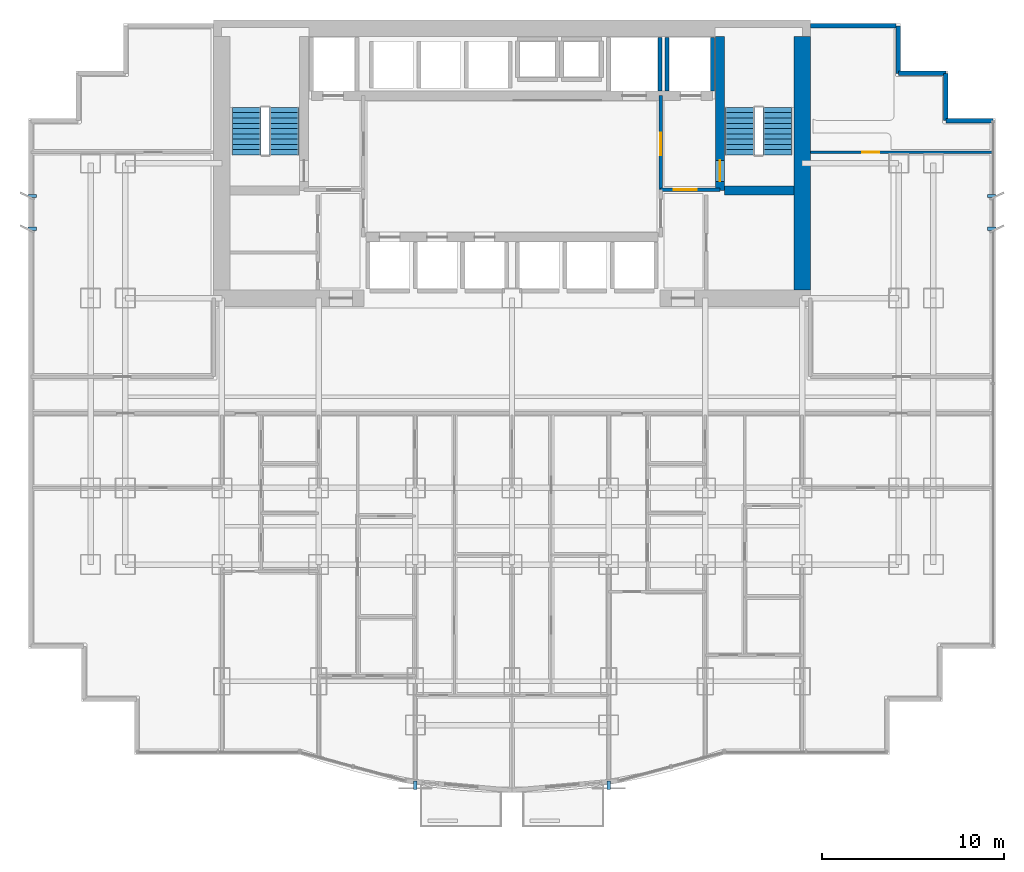
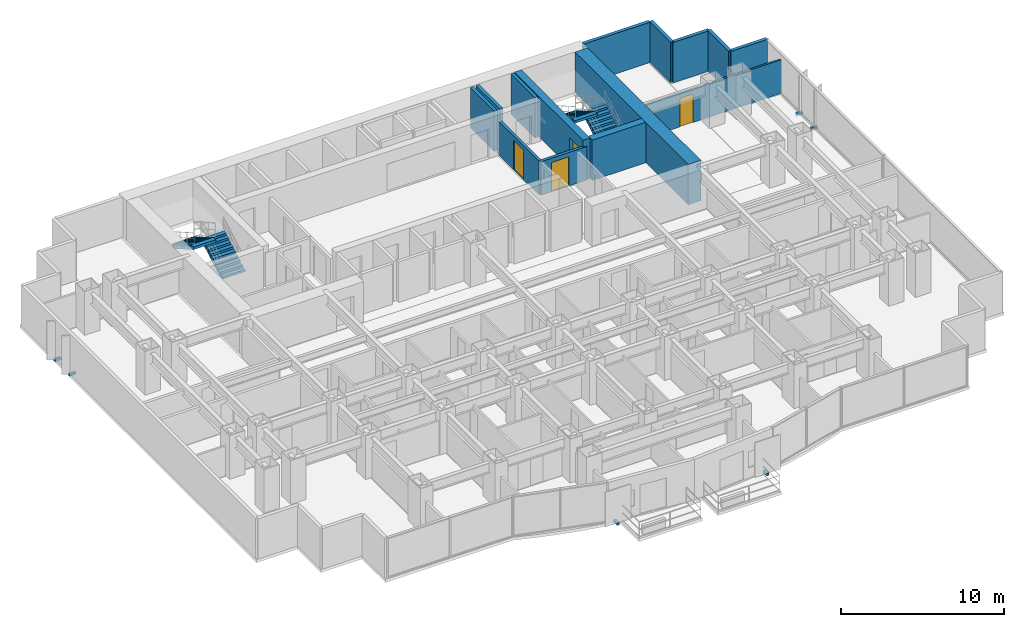
# One storey, part 10 of 12: 14 walls, 6 discrete accessories, 4 doors, 4 stair flights, 4 openings, 2 elements without a shape of their own.
"""IFC4 building model written with IfcOpenShell, lengths in metres."""

from ifc_helpers import new_model, si_unit, direction, frame, frame_2d, origin, origin_2d, place, context, subcontext, project, spatial, polyline, rectangle, outline, extrude, source, transform, mapped, material, layer, layer_set, type_object, element, fill, aggregate, save


model = new_model("IFC4")

# Units and contexts
model_context = context("Model", 3, precision=1e-05, world=origin(), true_north=direction((0.0, 1.0)))
body_context = subcontext(model_context, "Body", "Model", "MODEL_VIEW")
ifc_project = project(units=[si_unit("LENGTHUNIT", "METRE"), si_unit("AREAUNIT", "SQUARE_METRE"), si_unit("VOLUMEUNIT", "CUBIC_METRE"), si_unit("PLANEANGLEUNIT", "RADIAN"), si_unit("MASSUNIT", "GRAM", prefix="KILO")], contexts=[model_context])

# Site, building, storey
site_placement = place(None, origin())
site = spatial("IfcSite", under=ifc_project, at=site_placement, CompositionType="ELEMENT")
building_placement = place(site_placement, origin())
building = spatial("IfcBuilding", under=site, at=building_placement, Name="Qianlan Lanfeng Residences", CompositionType="ELEMENT")
storey_placement = place(building_placement, frame((0.0, 0.0, 67.10009765625)))
storey = spatial("IfcBuildingStorey", under=building, at=storey_placement, Name="L18", CompositionType="ELEMENT", Elevation=67.10009765625)

# Wall, opening, door
ifc_material_1 = material(Name="Concrete C70", Category="concrete")
ifc_layer_1 = layer(ifc_material_1, 0.5)
ifc_layer_set_1 = layer_set([ifc_layer_1], Name="Concrete C70")
wall_type_1 = type_object("IfcWallType", Name="CW-RC-500", PredefinedType="SHEAR", material=ifc_layer_set_1)
wall_1_placement = place(storey_placement, frame((37.89990234375, 31.10009765625, 0.0), z_axis=(0.0, 0.0, 1.0), x_axis=(0.0, 1.0, 0.0)))
wall_1 = element("IfcWall", 1, at=wall_1_placement, inside=storey, type_object=wall_type_1, Name="L18 Core Shear Wall ST2W", PredefinedType="SHEAR", context=body_context, shape_type="SweptSolid", body=[
    extrude(rectangle(XDim=8.449951171875, YDim=0.5, at=frame_2d((4.22509765625, 0.0))), origin(), (0.0, 0.0, 1.0), 3.02978515625),
])
opening_1_placement = place(wall_1_placement, frame((0.510009765625, 0.0, 0.0)))
opening_1 = element("IfcOpeningElement", 2, at=opening_1_placement, cuts=wall_1, Name="Opening L18-D08", PredefinedType="OPENING", context=body_context, shape_type="SweptSolid", body=[
    extrude(rectangle(XDim=1.14990234375, YDim=2.199951171875, at=frame_2d((0.574951171875, 1.10009765625))), frame((0.0, 0.260009765625, 0.0), z_axis=(0.0, -1.0, 0.0), x_axis=(1.0, 0.0, 0.0)), (0.0, 0.0, 1.0), 0.52001953125),
])
ifc_material_2 = material(Name="Painted Galvanised Steel Fire Door", Category="steel")
door_type_1 = type_object("IfcDoorType", Name="DT-ST1", OperationType="NOTDEFINED", PredefinedType="DOOR", material=ifc_material_2)
door_1_placement = place(opening_1_placement, origin())
door_1 = element("IfcDoor", 3, at=door_1_placement, inside=storey, type_object=door_type_1, Name="L18 Exit Stair ST-2 Door L18-D08 (DT-ST1)", OperationType="SINGLE_SWING_RIGHT", OverallHeight=2.199951171875, OverallWidth=1.14990234375, PredefinedType="DOOR", context=body_context, shape_type="SweptSolid", body=[
    extrude(rectangle(XDim=1.14990234375, YDim=2.199951171875, at=frame_2d((0.574951171875, 1.10009765625))), frame((0.0, 0.02490234375, 0.0), z_axis=(0.0, -1.0, 0.0), x_axis=(1.0, 0.0, 0.0)), (0.0, 0.0, 1.0), 0.050048828125),
])
fill(opening_1, door_1)

# Walls
wall_2_placement = place(storey_placement, frame((38.14990234375, 31.10009765625, 0.0), z_axis=(0.0, 0.0, 1.0), x_axis=(1.0, 0.0, 0.0)))
element("IfcWall", 4, at=wall_2_placement, inside=storey, type_object=wall_type_1, Name="L18 Core Shear Wall ST2S", PredefinedType="SHEAR", context=body_context, shape_type="SweptSolid", body=[
    extrude(rectangle(XDim=3.800048828125, YDim=0.5, at=frame_2d((1.89990234375, 0.0))), origin(), (0.0, 0.0, 1.0), 3.02978515625),
])
ifc_layer_2 = layer(ifc_material_1, 0.89990234375)
ifc_layer_set_2 = layer_set([ifc_layer_2], Name="Concrete C70")
wall_type_2 = type_object("IfcWallType", Name="CW-RC-900", PredefinedType="SHEAR", material=ifc_layer_set_2)
wall_3_placement = place(storey_placement, frame((42.39990234375, 25.64990234375, 0.0), z_axis=(0.0, 0.0, 1.0), x_axis=(0.0, 1.0, 0.0)))
element("IfcWall", 5, at=wall_3_placement, inside=storey, type_object=wall_type_2, Name="L18 Core Shear Wall E", PredefinedType="SHEAR", context=body_context, shape_type="SweptSolid", body=[
    extrude(rectangle(XDim=13.900146484375, YDim=0.89990234375, at=frame_2d((6.9501953125, 0.0))), origin(), (0.0, 0.0, 1.0), 3.02978515625),
])
ifc_material_3 = material(Name="Concrete C42", Category="concrete")
ifc_layer_3 = layer(ifc_material_3, 0.239990234375)
ifc_layer_set_3 = layer_set([ifc_layer_3], Name="Concrete C42")
wall_type_3 = type_object("IfcWallType", Name="EW-240", PredefinedType="SOLIDWALL", material=ifc_layer_set_3)
wall_4_placement = place(storey_placement, frame((52.8798828125, 34.929931640625, 0.0), z_axis=(0.0, 0.0, 1.0), x_axis=(-1.0, 0.0, 0.0)))
element("IfcWall", 6, at=wall_4_placement, inside=storey, type_object=wall_type_3, Name="L18 Exterior Facade Spandrel Wall 11", PredefinedType="SOLIDWALL", context=body_context, shape_type="SweptSolid", body=[
    extrude(rectangle(XDim=2.599853515625, YDim=0.239990234375, at=frame_2d((1.2998046875, 0.0))), origin(), (0.0, 0.0, 1.0), 3.02978515625),
])
for number, where, z_axis, x_axis, name in (
    (7, (50.280029296875, 34.929931640625, 0.0), (0.0, 0.0, 1.0), (0.0, 1.0, 0.0), "L18 Exterior Facade Spandrel Wall 12"),
    (8, (50.280029296875, 37.530029296875, 0.0), (0.0, 0.0, 1.0), (-1.0, 0.0, 0.0), "L18 Exterior Facade Spandrel Wall 13"),
):
    element("IfcWall", number, at=place(storey_placement, frame(where, z_axis=z_axis, x_axis=x_axis)), inside=storey, type_object=wall_type_3, Name=name, PredefinedType="SOLIDWALL", context=body_context, shape_type="SweptSolid", body=[
        extrude(rectangle(XDim=2.60009765625, YDim=0.239990234375, at=frame_2d((1.300048828125, 0.0))), origin(), (0.0, 0.0, 1.0), 3.02978515625),
    ])
wall_5_placement = place(storey_placement, frame((47.679931640625, 37.530029296875, 0.0), z_axis=(0.0, 0.0, 1.0), x_axis=(0.0, 1.0, 0.0)))
element("IfcWall", 9, at=wall_5_placement, inside=storey, type_object=wall_type_3, Name="L18 Exterior Facade Spandrel Wall 14", PredefinedType="SOLIDWALL", context=body_context, shape_type="SweptSolid", body=[
    extrude(rectangle(XDim=2.599853515625, YDim=0.239990234375, at=frame_2d((1.2998046875, 0.0))), origin(), (0.0, 0.0, 1.0), 3.02978515625),
])
wall_6_placement = place(storey_placement, frame((47.550048828125, 40.1298828125, 0.0), z_axis=(0.0, 0.0, 1.0), x_axis=(-1.0, 0.0, 0.0)))
element("IfcWall", 10, at=wall_6_placement, inside=storey, type_object=wall_type_3, Name="L18 North Wing Exterior Wall E", PredefinedType="SOLIDWALL", context=body_context, shape_type="SweptSolid", body=[
    extrude(rectangle(XDim=4.699951171875, YDim=0.239990234375, at=frame_2d((2.35009765625, 0.0))), origin(), (0.0, 0.0, 1.0), 3.02978515625),
])

# Wall, opening, door
ifc_material_4 = material(Name="Moisture-Resistant Gypsum Partition 135 mm")
ifc_layer_4 = layer(ifc_material_4, 0.135009765625)
ifc_layer_set_4 = layer_set([ifc_layer_4], Name="Moisture-Resistant Gypsum Partition 135 mm")
wall_type_4 = type_object("IfcWallType", Name="PW-135", PredefinedType="PARTITIONING", material=ifc_layer_set_4)
wall_7_placement = place(storey_placement, frame((42.85009765625, 33.199951171875, 0.0), z_axis=(0.0, 0.0, 1.0), x_axis=(1.0, 0.0, 0.0)))
wall_7 = element("IfcWall", 11, at=wall_7_placement, inside=storey, type_object=wall_type_4, Name="L18 EW North Wing Wall", PredefinedType="PARTITIONING", context=body_context, shape_type="SweptSolid", body=[
    extrude(rectangle(XDim=10.02978515625, YDim=0.135009765625, at=frame_2d((5.014892578125, 0.0))), origin(), (0.0, 0.0, 1.0), 2.52001953125),
])
opening_2_placement = place(wall_7_placement, frame((2.85498046875, 0.0, 0.0)))
opening_2 = element("IfcOpeningElement", 12, at=opening_2_placement, cuts=wall_7, Name="Opening L18-D48", PredefinedType="OPENING", context=body_context, shape_type="SweptSolid", body=[
    extrude(rectangle(XDim=0.919921875, YDim=2.14990234375, at=frame_2d((0.4599609375, 1.074951171875))), frame((0.0, 0.07763671875, 0.0), z_axis=(0.0, -1.0, 0.0), x_axis=(1.0, 0.0, 0.0)), (0.0, 0.0, 1.0), 0.155029296875),
])
ifc_material_5 = material(Name="Glazed Timber Kitchen/Study Door", Category="wood")
door_type_2 = type_object("IfcDoorType", Name="DT-INT", OperationType="NOTDEFINED", PredefinedType="DOOR", material=ifc_material_5)
door_2_placement = place(opening_2_placement, origin())
door_2 = element("IfcDoor", 13, at=door_2_placement, inside=storey, type_object=door_type_2, Name="L18 EW Inner Salon Door L18-D48 (DT-INT)", OperationType="SINGLE_SWING_RIGHT", OverallHeight=2.14990234375, OverallWidth=0.919921875, PredefinedType="DOOR", context=body_context, shape_type="SweptSolid", body=[
    extrude(rectangle(XDim=0.919921875, YDim=2.14990234375, at=frame_2d((0.4599609375, 1.074951171875))), frame((0.0, 0.02490234375, 0.0), z_axis=(0.0, -1.0, 0.0), x_axis=(1.0, 0.0, 0.0)), (0.0, 0.0, 1.0), 0.050048828125),
])
fill(opening_2, door_2)

ifc_material_6 = material(Name="Autoclaved Aerated Concrete Blockwork 200 mm", Category="masonry")
ifc_layer_5 = layer(ifc_material_6, 0.199951171875)
ifc_layer_set_5 = layer_set([ifc_layer_5], Name="Autoclaved Aerated Concrete Blockwork 200 mm")
wall_type_5 = type_object("IfcWallType", Name="PW-200", PredefinedType="PARTITIONING", material=ifc_layer_set_5)
wall_8_placement = place(storey_placement, frame((34.64990234375, 31.14990234375, 0.0), z_axis=(0.0, 0.0, 1.0), x_axis=(1.0, 0.0, 0.0)))
wall_8 = element("IfcWall", 14, at=wall_8_placement, inside=storey, type_object=wall_type_5, Name="L18 Firefighting Lobby 2 South Wall", PredefinedType="PARTITIONING", context=body_context, shape_type="SweptSolid", body=[
    extrude(rectangle(XDim=3.25, YDim=0.199951171875, at=frame_2d((1.625, 0.0))), origin(), (0.0, 0.0, 1.0), 2.52001953125),
])
opening_3_placement = place(wall_8_placement, frame((0.72509765625, 0.0, 0.0)))
opening_3 = element("IfcOpeningElement", 15, at=opening_3_placement, cuts=wall_8, Name="Opening L18-D05", PredefinedType="OPENING", context=body_context, shape_type="SweptSolid", body=[
    extrude(rectangle(XDim=1.25, YDim=2.199951171875, at=frame_2d((0.625, 1.10009765625))), frame((0.0, 0.10986328125, 0.0), z_axis=(0.0, -1.0, 0.0), x_axis=(1.0, 0.0, 0.0)), (0.0, 0.0, 1.0), 0.219970703125),
])
door_type_3 = type_object("IfcDoorType", Name="DT-FFL", OperationType="NOTDEFINED", PredefinedType="DOOR", material=ifc_material_2)
door_3_placement = place(opening_3_placement, origin())
door_3 = element("IfcDoor", 16, at=door_3_placement, inside=storey, type_object=door_type_3, Name="L18 Firefighting Lobby 2 Entry Door L18-D05 (DT-FFL)", OperationType="SINGLE_SWING_RIGHT", OverallHeight=2.199951171875, OverallWidth=1.25, PredefinedType="DOOR", context=body_context, shape_type="SweptSolid", body=[
    extrude(rectangle(XDim=1.25, YDim=2.199951171875, at=frame_2d((0.625, 1.10009765625))), frame((0.0, 0.02490234375, 0.0), z_axis=(0.0, -1.0, 0.0), x_axis=(1.0, 0.0, 0.0)), (0.0, 0.0, 1.0), 0.050048828125),
])
fill(opening_3, door_3)

wall_9_placement = place(storey_placement, frame((34.64990234375, 31.14990234375, 0.0), z_axis=(0.0, 0.0, 1.0), x_axis=(0.0, 1.0, 0.0)))
wall_9 = element("IfcWall", 17, at=wall_9_placement, inside=storey, type_object=wall_type_5, Name="L18 Firefighting Lobby 2 West Wall", PredefinedType="PARTITIONING", context=body_context, shape_type="SweptSolid", body=[
    extrude(rectangle(XDim=5.150146484375, YDim=0.199951171875, at=frame_2d((2.5751953125, 0.0))), origin(), (0.0, 0.0, 1.0), 2.52001953125),
])
opening_4_placement = place(wall_9_placement, frame((1.875, 0.0, 0.0)))
opening_4 = element("IfcOpeningElement", 18, at=opening_4_placement, cuts=wall_9, Name="Opening L18-D06", PredefinedType="OPENING", context=body_context, shape_type="SweptSolid", body=[
    extrude(rectangle(XDim=1.25, YDim=2.199951171875, at=frame_2d((0.625, 1.10009765625))), frame((0.0, 0.10986328125, 0.0), z_axis=(0.0, -1.0, 0.0), x_axis=(1.0, 0.0, 0.0)), (0.0, 0.0, 1.0), 0.219970703125),
])
door_4_placement = place(opening_4_placement, origin())
door_4 = element("IfcDoor", 19, at=door_4_placement, inside=storey, type_object=door_type_3, Name="L18 Firefighting Lobby 2 Lift Lobby Door L18-D06 (DT-FFL)", OperationType="SINGLE_SWING_RIGHT", OverallHeight=2.199951171875, OverallWidth=1.25, PredefinedType="DOOR", context=body_context, shape_type="SweptSolid", body=[
    extrude(rectangle(XDim=1.25, YDim=2.199951171875, at=frame_2d((0.625, 1.10009765625))), frame((0.0, 0.02490234375, 0.0), z_axis=(0.0, -1.0, 0.0), x_axis=(1.0, 0.0, 0.0)), (0.0, 0.0, 1.0), 0.050048828125),
])
fill(opening_4, door_4)

# Walls
ifc_material_7 = material(Name="Concrete C49", Category="concrete")
ifc_layer_6 = layer(ifc_material_7, 0.219970703125)
ifc_layer_set_6 = layer_set([ifc_layer_6], Name="Concrete C49")
wall_type_6 = type_object("IfcWallType", Name="SHW-220", PredefinedType="SOLIDWALL", material=ifc_layer_set_6)
for number, where, z_axis, x_axis, name in (
    (20, (35.0, 36.550048828125, 0.0), (0.0, 0.0, 1.0), (0.0, 1.0, 0.0), "L18 Lift FFL-2 Shaft Wall W"),
    (21, (37.47998046875, 36.550048828125, 0.0), (0.0, 0.0, 1.0), (0.0, 1.0, 0.0), "L18 Lift FFL-2 Shaft Wall E"),
    (22, (34.60009765625, 36.550048828125, 0.0), (0.0, 0.0, 1.0), (0.0, 1.0, 0.0), "L18 Lift SVL-1 Shaft Wall E"),
):
    element("IfcWall", number, at=place(storey_placement, frame(where, z_axis=z_axis, x_axis=x_axis)), inside=storey, type_object=wall_type_6, Name=name, PredefinedType="SOLIDWALL", context=body_context, shape_type="SweptSolid", body=[
        extrude(rectangle(XDim=2.929931640625, YDim=0.219970703125, at=frame_2d((1.46484375, 0.0))), origin(), (0.0, 0.0, 1.0), 3.02978515625),
    ])

# Stair, stair flights
stair_type = type_object("IfcStairType", Name="STR-MAIN", PredefinedType="HALF_TURN_STAIR", material=ifc_material_3)
stair_1_placement = place(storey_placement, origin())
stair_1 = element("IfcStair", 23, at=stair_1_placement, inside=storey, type_object=stair_type, Name="L18 Exit Stair ST-1", PredefinedType="HALF_TURN_STAIR")
stair_flight_type = type_object("IfcStairFlightType", Name="FLT-1720", PredefinedType="STRAIGHT", material=ifc_material_3)
stair_flight_1_placement = place(storey_placement, frame((14.02001953125, 33.050048828125, 0.0), z_axis=(0.0, 0.0, 1.0), x_axis=(0.0, 1.0, 0.0)))
stair_flight_1 = element("IfcStairFlight", 24, at=stair_flight_1_placement, type_object=stair_flight_type, Name="ST-1 flight 1", NumberOfRisers=10, NumberOfTreads=9, PredefinedType="STRAIGHT", RiserHeight=0.165, TreadLength=0.29, context=body_context, shape_type="SweptSolid", body=[
    extrude(outline(polyline([(0.0, 0.0), (0.0, 0.1650390625), (0.2900390625, 0.1650390625), (0.2900390625, 0.330078125), (0.580078125, 0.330078125), (0.580078125, 0.4951171875), (0.8701171875, 0.4951171875), (0.8701171875, 0.659912109375), (1.159912109375, 0.659912109375), (1.159912109375, 0.824951171875), (1.449951171875, 0.824951171875), (1.449951171875, 0.989990234375), (1.739990234375, 0.989990234375), (1.739990234375, 1.155029296875), (2.030029296875, 1.155029296875), (2.030029296875, 1.320068359375), (2.320068359375, 1.320068359375), (2.320068359375, 1.485107421875), (2.610107421875, 1.485107421875), (2.610107421875, 1.64990234375), (2.610107421875, 1.278076171875), (0.36376953125, 0.0), (0.0, 0.0)])), frame((0.0, 0.800048828125, 0.0), z_axis=(0.0, -1.0, 0.0), x_axis=(1.0, 0.0, 0.0)), (0.0, 0.0, 1.0), 1.60009765625),
])
stair_flight_2_placement = place(storey_placement, frame((11.93994140625, 35.659912109375, 1.64990234375), z_axis=(0.0, 0.0, 1.0), x_axis=(0.0, -1.0, 0.0)))
stair_flight_2 = element("IfcStairFlight", 25, at=stair_flight_2_placement, type_object=stair_flight_type, Name="ST-1 flight 2", NumberOfRisers=10, NumberOfTreads=9, PredefinedType="STRAIGHT", RiserHeight=0.165, TreadLength=0.29, context=body_context, shape_type="SweptSolid", body=[
    extrude(outline(polyline([(0.0, 0.0), (0.0, 0.1650390625), (0.2900390625, 0.1650390625), (0.2900390625, 0.330078125), (0.580078125, 0.330078125), (0.580078125, 0.4951171875), (0.8701171875, 0.4951171875), (0.8701171875, 0.659912109375), (1.159912109375, 0.659912109375), (1.159912109375, 0.824951171875), (1.449951171875, 0.824951171875), (1.449951171875, 0.989990234375), (1.739990234375, 0.989990234375), (1.739990234375, 1.155029296875), (2.030029296875, 1.155029296875), (2.030029296875, 1.320068359375), (2.320068359375, 1.320068359375), (2.320068359375, 1.485107421875), (2.610107421875, 1.485107421875), (2.610107421875, 1.64990234375), (2.610107421875, 1.278076171875), (0.36376953125, 0.0), (0.0, 0.0)])), frame((0.0, 0.800048828125, 0.0), z_axis=(0.0, -1.0, 0.0), x_axis=(1.0, 0.0, 0.0)), (0.0, 0.0, 1.0), 1.60009765625),
])
aggregate(stair_1, [stair_flight_1, stair_flight_2])

stair_2_placement = place(storey_placement, origin())
stair_2 = element("IfcStair", 26, at=stair_2_placement, inside=storey, type_object=stair_type, Name="L18 Exit Stair ST-2", PredefinedType="HALF_TURN_STAIR")
stair_flight_3_placement = place(storey_placement, frame((41.06005859375, 33.050048828125, 0.0), z_axis=(0.0, 0.0, 1.0), x_axis=(0.0, 1.0, 0.0)))
stair_flight_3 = element("IfcStairFlight", 27, at=stair_flight_3_placement, type_object=stair_flight_type, Name="ST-2 flight 1", NumberOfRisers=10, NumberOfTreads=9, PredefinedType="STRAIGHT", RiserHeight=0.165, TreadLength=0.29, context=body_context, shape_type="SweptSolid", body=[
    extrude(outline(polyline([(0.0, 0.0), (0.0, 0.1650390625), (0.2900390625, 0.1650390625), (0.2900390625, 0.330078125), (0.580078125, 0.330078125), (0.580078125, 0.4951171875), (0.8701171875, 0.4951171875), (0.8701171875, 0.659912109375), (1.159912109375, 0.659912109375), (1.159912109375, 0.824951171875), (1.449951171875, 0.824951171875), (1.449951171875, 0.989990234375), (1.739990234375, 0.989990234375), (1.739990234375, 1.155029296875), (2.030029296875, 1.155029296875), (2.030029296875, 1.320068359375), (2.320068359375, 1.320068359375), (2.320068359375, 1.485107421875), (2.610107421875, 1.485107421875), (2.610107421875, 1.64990234375), (2.610107421875, 1.278076171875), (0.36376953125, 0.0), (0.0, 0.0)])), frame((0.0, 0.800048828125, 0.0), z_axis=(0.0, -1.0, 0.0), x_axis=(1.0, 0.0, 0.0)), (0.0, 0.0, 1.0), 1.60009765625),
])
stair_flight_4_placement = place(storey_placement, frame((38.97998046875, 35.659912109375, 1.64990234375), z_axis=(0.0, 0.0, 1.0), x_axis=(0.0, -1.0, 0.0)))
stair_flight_4 = element("IfcStairFlight", 28, at=stair_flight_4_placement, type_object=stair_flight_type, Name="ST-2 flight 2", NumberOfRisers=10, NumberOfTreads=9, PredefinedType="STRAIGHT", RiserHeight=0.165, TreadLength=0.29, context=body_context, shape_type="SweptSolid", body=[
    extrude(outline(polyline([(0.0, 0.0), (0.0, 0.1650390625), (0.2900390625, 0.1650390625), (0.2900390625, 0.330078125), (0.580078125, 0.330078125), (0.580078125, 0.4951171875), (0.8701171875, 0.4951171875), (0.8701171875, 0.659912109375), (1.159912109375, 0.659912109375), (1.159912109375, 0.824951171875), (1.449951171875, 0.824951171875), (1.449951171875, 0.989990234375), (1.739990234375, 0.989990234375), (1.739990234375, 1.155029296875), (2.030029296875, 1.155029296875), (2.030029296875, 1.320068359375), (2.320068359375, 1.320068359375), (2.320068359375, 1.485107421875), (2.610107421875, 1.485107421875), (2.610107421875, 1.64990234375), (2.610107421875, 1.278076171875), (0.36376953125, 0.0), (0.0, 0.0)])), frame((0.0, 0.800048828125, 0.0), z_axis=(0.0, -1.0, 0.0), x_axis=(1.0, 0.0, 0.0)), (0.0, 0.0, 1.0), 1.60009765625),
])
aggregate(stair_2, [stair_flight_3, stair_flight_4])

# Discrete accessories
ifc_material_8 = material(Name="Stainless Steel Facade Bracket", Category="steel")
discrete_accessory_type = type_object("IfcDiscreteAccessoryType", Name="BRK-SS-350", PredefinedType="BRACKET", material=ifc_material_8)
shared_shape_1 = source(origin(), body_context, "Body", "SweptSolid", [
    extrude(rectangle(XDim=0.179931640625, YDim=0.449951171875, at=origin_2d()), origin(), (0.0, 0.0, 1.0), 0.179931640625),
])
for number, where, z_axis, x_axis, name in (
    (29, (21.199951171875, -1.5, -0.14990234375), (0.0, 0.0, 1.0), (1.0, 0.0, 0.0), "L18 Solar Screen Support Bracket 1"),
    (30, (31.800048828125, -1.5, -0.14990234375), (0.0, 0.0, 1.0), (1.0, 0.0, 0.0), "L18 Solar Screen Support Bracket 2"),
):
    element("IfcDiscreteAccessory", number, at=place(storey_placement, frame(where, z_axis=z_axis, x_axis=x_axis)), inside=storey, type_object=discrete_accessory_type, Name=name, PredefinedType="BRACKET", context=body_context, shape_type="MappedRepresentation", body=[
        mapped(shared_shape_1, transform((0.0, 0.0, 0.0), scale=1.0)),
    ])
shared_shape_2 = source(origin(), body_context, "Body", "SweptSolid", [
    extrude(rectangle(XDim=0.449951171875, YDim=0.179931640625, at=origin_2d()), origin(), (0.0, 0.0, 1.0), 0.179931640625),
])
for number, where, z_axis, x_axis, name in (
    (31, (0.199951171875, 29.0, -0.14990234375), (0.0, 0.0, 1.0), (1.0, 0.0, 0.0), "L18 Raked Solar Fin Support Bracket W1"),
    (32, (0.199951171875, 30.800048828125, -0.14990234375), (0.0, 0.0, 1.0), (1.0, 0.0, 0.0), "L18 Raked Solar Fin Support Bracket W2"),
    (33, (52.800048828125, 29.0, -0.14990234375), (0.0, 0.0, 1.0), (1.0, 0.0, 0.0), "L18 Raked Solar Fin Support Bracket E1"),
    (34, (52.800048828125, 30.800048828125, -0.14990234375), (0.0, 0.0, 1.0), (1.0, 0.0, 0.0), "L18 Raked Solar Fin Support Bracket E2"),
):
    element("IfcDiscreteAccessory", number, at=place(storey_placement, frame(where, z_axis=z_axis, x_axis=x_axis)), inside=storey, type_object=discrete_accessory_type, Name=name, PredefinedType="BRACKET", context=body_context, shape_type="MappedRepresentation", body=[
        mapped(shared_shape_2, transform((0.0, 0.0, 0.0), scale=1.0)),
    ])

save(model, "model.ifc")
